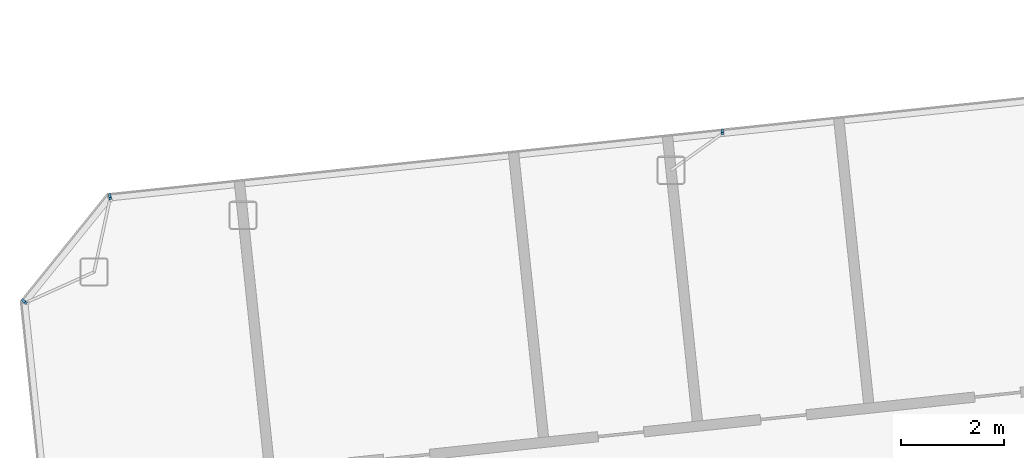
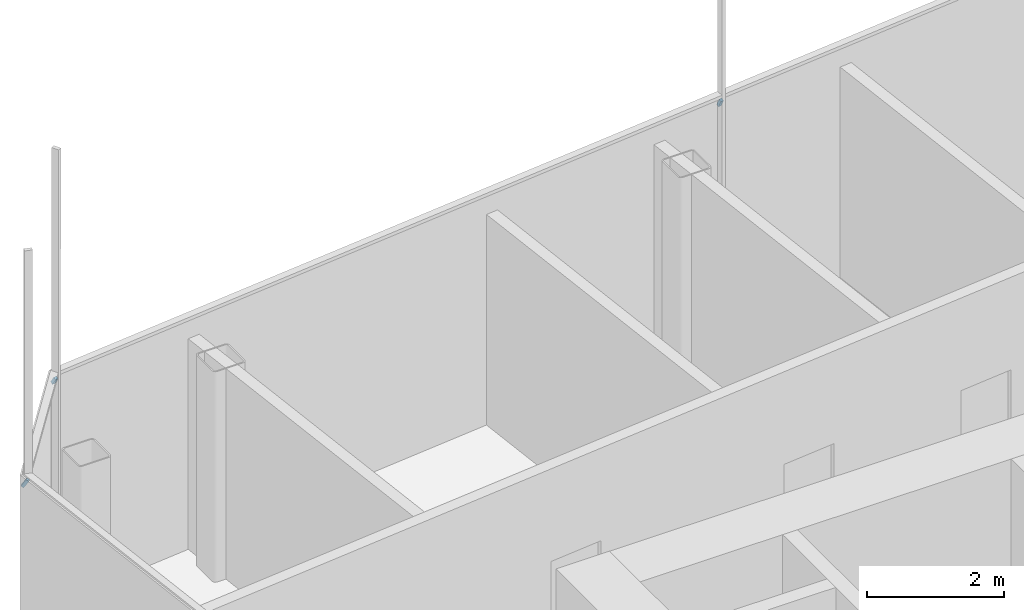
# One storey, part 32 of 41: 3 discrete accessories.
"""IFC4 building model written with IfcOpenShell, lengths in metres."""

from ifc_helpers import new_model, si_unit, direction, frame, origin, origin_2d, place, context, subcontext, project, spatial, rectangle, extrude, material, material_profile, profile_set, type_object, element, save


model = new_model("IFC4")

# Units and contexts
model_context = context("Model", 3, precision=1e-05, world=origin(), true_north=direction((0.0, 1.0)))
body_context = subcontext(model_context, "Body", "Model", "MODEL_VIEW")
ifc_project = project(units=[si_unit("LENGTHUNIT", "METRE"), si_unit("AREAUNIT", "SQUARE_METRE"), si_unit("VOLUMEUNIT", "CUBIC_METRE"), si_unit("PLANEANGLEUNIT", "RADIAN"), si_unit("MASSUNIT", "GRAM", prefix="KILO")], contexts=[model_context])

# Site, building, storey
site_placement = place(None, origin())
site = spatial("IfcSite", under=ifc_project, at=site_placement, CompositionType="ELEMENT")
building_placement = place(site_placement, origin())
building = spatial("IfcBuilding", under=site, at=building_placement, Name="Hakoniwa Tower and Hamabe Station Hall", CompositionType="ELEMENT")
storey_placement = place(building_placement, frame((0.0, 0.0, 276.60009765625)))
storey = spatial("IfcBuildingStorey", under=building, at=storey_placement, Name="L77", CompositionType="ELEMENT", Elevation=276.60009765625)

# Discrete accessories
ifc_material = material(Name="Stainless steel SUS304", Category="steel")
ifc_material_profile = material_profile(ifc_material, rectangle(XDim=0.050048828125, YDim=0.050048828125, at=origin_2d()), Name="CW-4 GLAZING BRACKET 50X50")
ifc_profile_set = profile_set([ifc_material_profile], Name="Stainless steel SUS304")
discrete_accessory_type = type_object("IfcDiscreteAccessoryType", Name="CW-4 GLAZING BRACKET 50X50", PredefinedType="BRACKET", material=ifc_profile_set)
discrete_accessory_1_placement = place(storey_placement, frame((-39.386474609375, 13.78955078125, 4.099853515625), z_axis=(-0.415594385151, 0.338082733952, -0.844382242846), x_axis=(-0.631056071737, -0.775737219891, 0.0)))
element("IfcDiscreteAccessory", 1, at=discrete_accessory_1_placement, inside=storey, type_object=discrete_accessory_type, Name="Glazing bracket", PredefinedType="BRACKET", context=body_context, shape_type="SweptSolid", body=[
    extrude(rectangle(XDim=0.050048828125, YDim=0.050048828125, at=origin_2d()), origin(), (0.0, 0.0, 1.0), 0.14794921875),
])
discrete_accessory_2_placement = place(storey_placement, frame((-37.740234375, 15.82080078125, 4.099853515625), z_axis=(-0.05481319218, 0.523216834449, -0.850434981708), x_axis=(-0.99455723192, -0.104191710011, 0.0)))
element("IfcDiscreteAccessory", 2, at=discrete_accessory_2_placement, inside=storey, type_object=discrete_accessory_type, Name="Glazing bracket", PredefinedType="BRACKET", context=body_context, shape_type="SweptSolid", body=[
    extrude(rectangle(XDim=0.050048828125, YDim=0.050048828125, at=origin_2d()), origin(), (0.0, 0.0, 1.0), 0.14697265625),
])
discrete_accessory_3_placement = place(storey_placement, frame((-25.79345703125, 17.09375, 4.099853515625), z_axis=(-0.045758977939, 0.431190369039, -0.901099873258), x_axis=(-0.994416132921, -0.10552987533, 0.0)))
element("IfcDiscreteAccessory", 3, at=discrete_accessory_3_placement, inside=storey, type_object=discrete_accessory_type, Name="Glazing bracket", PredefinedType="BRACKET", context=body_context, shape_type="SweptSolid", body=[
    extrude(rectangle(XDim=0.050048828125, YDim=0.050048828125, at=origin_2d()), origin(), (0.0, 0.0, 1.0), 0.138671875),
])

save(model, "model.ifc")
